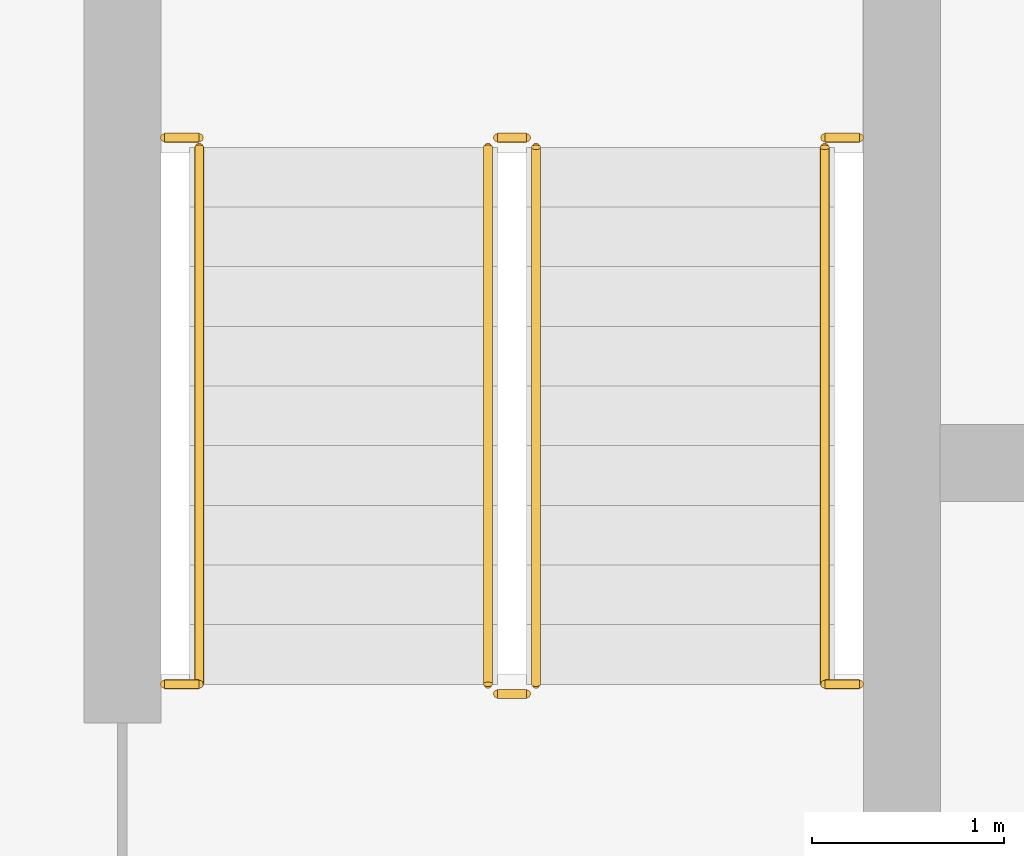
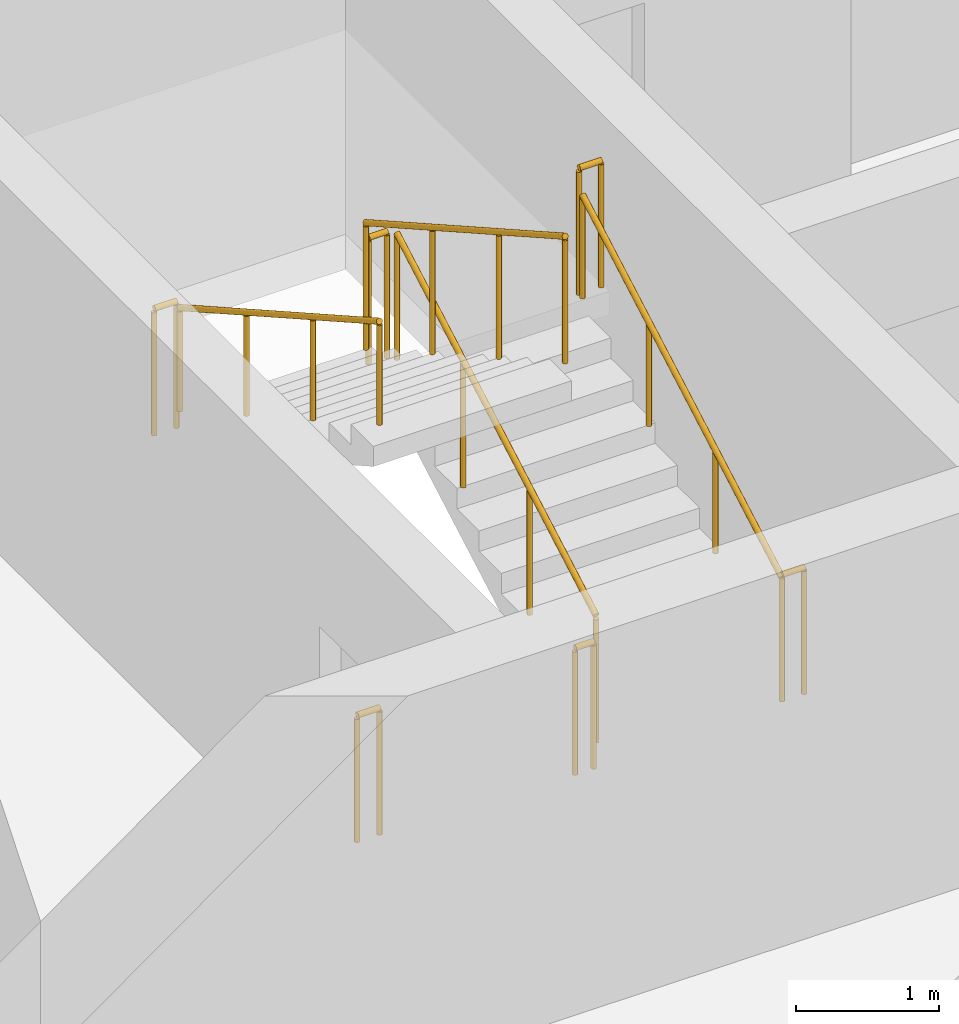
# One storey, part 17 of 21: 10 railings.
"""IFC4 building model written with IfcOpenShell, lengths in metres."""

import ifcopenshell
import ifcopenshell.guid

model = None  # the IFC model being written
_history = None  # IfcOwnerHistory: only IFC2X3 demands one
_inside = {}  # id of a spatial element -> (the spatial element, [elements in it])
_under = {}  # id of a project, library or spatial element -> (it, [spatial elements below it])
_declared = {}  # id of a project -> (the project, [libraries it declares])
_typed = {}  # id of a type object -> (the type object, [elements of that type])
_made_of = {}  # id of a material, layer set ... -> (it, [elements and type objects made of it])


def new_model(schema):
    """Start an empty IFC model of exactly this schema.

    Asked for "IFC4X3", IfcOpenShell would pick the latest addendum, in which some entities
    have other attributes; the version numbers below select the first issue.
    IFC2X3 requires an IfcOwnerHistory on every rooted entity: one is made here for all.
    """
    global model, _history
    if schema == "IFC4X3":
        model = ifcopenshell.file(schema_version=(4, 3, 0, 0))
    else:
        model = ifcopenshell.file(schema=schema)
    _inside.clear()
    _under.clear()
    _declared.clear()
    _typed.clear()
    _made_of.clear()
    _history = None
    if model.schema == "IFC2X3":
        org = make("IfcOrganization", Name="unknown")
        user = make(
            "IfcPersonAndOrganization",
            ThePerson=make("IfcPerson", FamilyName="unknown"),
            TheOrganization=org,
        )
        app = make(
            "IfcApplication",
            ApplicationDeveloper=org,
            Version="unknown",
            ApplicationFullName="unknown",
            ApplicationIdentifier="unknown",
        )
        _history = make(
            "IfcOwnerHistory",
            OwningUser=user,
            OwningApplication=app,
            ChangeAction="ADDED",
            CreationDate=0,
        )
    return model


def make(cls, **values):
    """One entity of the class cls with the attributes given. An attribute that is None is left unset."""
    return model.create_entity(
        cls, **{name: value for name, value in values.items() if value is not None}
    )


def rooted(cls, **values):
    """An entity with a GlobalId (a new one), such as an element, a storey or a relation."""
    return make(cls, GlobalId=ifcopenshell.guid.new(), OwnerHistory=_history, **values)


def si_unit(unit_type, name, prefix=None):
    """IfcSIUnit, for example si_unit("LENGTHUNIT", "METRE", prefix="MILLI")."""
    return make("IfcSIUnit", UnitType=unit_type, Prefix=prefix, Name=name)


def assignment(units):
    """IfcUnitAssignment: the units of a project."""
    return None if units is None else make("IfcUnitAssignment", Units=units)


def point(xyz):
    """IfcCartesianPoint."""
    return None if xyz is None else make("IfcCartesianPoint", Coordinates=xyz)


def direction(xyz):
    """IfcDirection."""
    return None if xyz is None else make("IfcDirection", DirectionRatios=xyz)


def frame(location, z_axis=None, x_axis=None):
    """IfcAxis2Placement3D, a coordinate frame: its origin and axes. An axis left out is left unset."""
    return make(
        "IfcAxis2Placement3D",
        Location=point(location),
        Axis=direction(z_axis),
        RefDirection=direction(x_axis),
    )


def frame_2d(location, x_axis=None):
    """IfcAxis2Placement2D, a coordinate frame in the plane: its origin and x axis."""
    return make(
        "IfcAxis2Placement2D", Location=point(location), RefDirection=direction(x_axis)
    )


def origin():
    """The frame at (0, 0, 0) with its axes left unset."""
    return frame((0.0, 0.0, 0.0))


def origin_2d():
    """The frame at (0, 0) in the plane with its x axis left unset."""
    return frame_2d((0.0, 0.0))


def place(relative_to, where):
    """IfcLocalPlacement: puts the frame where relative to a parent placement (None: the world)."""
    return make(
        "IfcLocalPlacement", PlacementRelTo=relative_to, RelativePlacement=where
    )


def context(
    kind, dimensions, precision=None, world=None, true_north=None, identifier=None
):
    """IfcGeometricRepresentationContext, for example the 3D "Model" context."""
    return make(
        "IfcGeometricRepresentationContext",
        ContextIdentifier=identifier,
        ContextType=kind,
        CoordinateSpaceDimension=dimensions,
        Precision=precision,
        WorldCoordinateSystem=world,
        TrueNorth=true_north,
    )


def subcontext(parent, identifier, kind, view, scale=None):
    """IfcGeometricRepresentationSubContext, for example "Body" below "Model"."""
    return make(
        "IfcGeometricRepresentationSubContext",
        ContextIdentifier=identifier,
        ContextType=kind,
        ParentContext=parent,
        TargetScale=scale,
        TargetView=view,
    )


def project(units=None, contexts=None):
    """IfcProject with its units and contexts."""
    return rooted(
        "IfcProject",
        Name="project",
        RepresentationContexts=contexts,
        UnitsInContext=assignment(units),
    )


def spatial(cls, under=None, at=None, **own):
    """A site, building, storey or space (cls), placed at a placement, below another one or the project."""
    s = rooted(cls, ObjectPlacement=at, **own)
    if under is not None:
        _under.setdefault(under.id(), (under, []))[1].append(s)
    return s


def profile(cls, at=None, kind="AREA", **sizes):
    """A parametric profile (cls). Its sizes go by their IFC names, for example OverallWidth=200.0."""
    return make(cls, ProfileType=kind, Position=at, **sizes)


def circle(**sizes):
    """IfcCircleProfileDef."""
    return profile("IfcCircleProfileDef", **sizes)


def extrude(swept, where, along, depth):
    """IfcExtrudedAreaSolid: the profile swept, set in the frame where, extruded along a direction by depth."""
    return make(
        "IfcExtrudedAreaSolid",
        SweptArea=swept,
        Position=where,
        ExtrudedDirection=direction(along),
        Depth=depth,
    )


def shape(context_of_items, identifier, shape_type, items):
    """IfcShapeRepresentation: the items that make up one representation, for example the "Body"."""
    return make(
        "IfcShapeRepresentation",
        ContextOfItems=context_of_items,
        RepresentationIdentifier=identifier,
        RepresentationType=shape_type,
        Items=items,
    )


def material(Name=None, Category=None):
    """IfcMaterial."""
    return make("IfcMaterial", Name=Name, Category=Category)


def made_of(thing, what):
    """Note that an element or type object is made of a material, layer set ...; save() writes the relation."""
    if what is not None:
        _made_of.setdefault(what.id(), (what, []))[1].append(thing)
    return thing


def type_object(cls, material=None, **own):
    """A type object (cls), such as IfcWallType, which elements share."""
    return made_of(rooted(cls, **own), material)


def element(
    cls,
    number,
    at=None,
    inside=None,
    cuts=None,
    type_object=None,
    material=None,
    context=None,
    identifier="Body",
    shape_type=None,
    held_by="IfcProductDefinitionShape",
    body=None,
    shapes=None,
    **own,
):
    """One element of the class cls, such as IfcWall. Its Tag is "e" and its number.

    at: its placement. inside: the storey or other place that contains it. cuts: it is an
    opening in that element (IfcRelVoidsElement). A single representation is given by context,
    identifier, shape_type and body (its items); several are given by shapes. held_by: the class
    of the entity that holds the representations. save() writes the other relations.
    """
    e = rooted(cls, Tag="e%d" % number, ObjectPlacement=at, **own)
    if body is not None:
        shapes = [shape(context, identifier, shape_type, body)]
    if shapes is not None:
        e.Representation = make(held_by, Representations=shapes)
    if inside is not None:
        _inside.setdefault(inside.id(), (inside, []))[1].append(e)
    if cuts is not None:
        rooted(
            "IfcRelVoidsElement", RelatingBuildingElement=cuts, RelatedOpeningElement=e
        )
    if type_object is not None:
        _typed.setdefault(type_object.id(), (type_object, []))[1].append(e)
    return made_of(e, material)


def aggregate(whole, parts):
    """IfcRelAggregates: a whole, such as a stair, and the parts it consists of."""
    return rooted("IfcRelAggregates", RelatingObject=whole, RelatedObjects=parts)


def save(model, path):
    """Write the relations noted so far, then the file.

    IfcRelAggregates (storeys below a building ...), IfcRelContainedInSpatialStructure (elements
    in a storey), IfcRelDefinesByType, IfcRelAssociatesMaterial and IfcRelDeclares: one each for
    every whole, place, type object, material and project.
    """
    for whole, parts in _under.values():
        aggregate(whole, parts)
    for where, things in _inside.values():
        rooted(
            "IfcRelContainedInSpatialStructure",
            RelatedElements=things,
            RelatingStructure=where,
        )
    for kind, things in _typed.values():
        rooted("IfcRelDefinesByType", RelatedObjects=things, RelatingType=kind)
    for what, things in _made_of.values():
        rooted("IfcRelAssociatesMaterial", RelatedObjects=things, RelatingMaterial=what)
    for by, libraries in _declared.values():
        rooted("IfcRelDeclares", RelatingContext=by, RelatedDefinitions=libraries)
    model.write(path)


model = new_model("IFC4")

# Units and contexts
model_context = context("Model", 3, precision=1e-05, world=origin(), true_north=direction((0.0, 1.0)))
body_context = subcontext(model_context, "Body", "Model", "MODEL_VIEW")
ifc_project = project(units=[si_unit("LENGTHUNIT", "METRE"), si_unit("AREAUNIT", "SQUARE_METRE"), si_unit("VOLUMEUNIT", "CUBIC_METRE"), si_unit("PLANEANGLEUNIT", "RADIAN"), si_unit("MASSUNIT", "GRAM", prefix="KILO")], contexts=[model_context])

# Site, building, storey
site_placement = place(None, origin())
site = spatial("IfcSite", under=ifc_project, at=site_placement, CompositionType="ELEMENT")
building_placement = place(site_placement, origin())
building = spatial("IfcBuilding", under=site, at=building_placement, Name="Madar Terraces", CompositionType="ELEMENT")
storey_placement = place(building_placement, frame((0.0, 0.0, 268.60009765625)))
storey = spatial("IfcBuildingStorey", under=building, at=storey_placement, Name="L70", CompositionType="ELEMENT", Elevation=268.60009765625)

# Railings
ifc_material_1 = material(Name="Stainless steel railing", Category="steel")
railing_type_1 = type_object("IfcRailingType", Name="Stair guard 1100", PredefinedType="GUARDRAIL", material=ifc_material_1)
railing_1_placement = place(storey_placement, frame((21.199951171875, 17.60009765625, 0.1748046875)))
element("IfcRailing", 1, at=railing_1_placement, inside=storey, type_object=railing_type_1, Name="L70 ST1 stair guard 1", PredefinedType="GUARDRAIL", context=body_context, shape_type="SweptSolid", body=[
    extrude(circle(Radius=0.02392578125, at=origin_2d()), frame((0.0, 0.0, 1.076171875), z_axis=(0.0, 0.870782738816, 0.491667999549), x_axis=(-1.0, 0.0, 0.0)), (0.0, 0.0, 1.0), 3.203857421875),
    extrude(circle(Radius=0.02099609375, at=origin_2d()), origin(), (0.0, 0.0, 1.0), 1.052001953125),
    extrude(circle(Radius=0.02099609375, at=origin_2d()), frame((0.0, 0.929931640625, 0.525146484375)), (0.0, 0.0, 1.0), 1.052001953125),
    extrude(circle(Radius=0.02099609375, at=origin_2d()), frame((0.0, 1.85986328125, 1.050048828125)), (0.0, 0.0, 1.0), 1.052001953125),
    extrude(circle(Radius=0.02099609375, at=origin_2d()), frame((0.0, 2.789794921875, 1.5751953125)), (0.0, 0.0, 1.0), 1.052001953125),
])
railing_2_placement = place(storey_placement, frame((21.14990234375, 20.43994140625, 1.75)))
element("IfcRailing", 2, at=railing_2_placement, inside=storey, type_object=railing_type_1, Name="L70 ST1 stair guard 2", PredefinedType="GUARDRAIL", context=body_context, shape_type="SweptSolid", body=[
    extrude(circle(Radius=0.02392578125, at=origin_2d()), frame((0.0, 0.0, 1.076171875), z_axis=(-1.0, 0.0, 0.0), x_axis=(0.0, -1.0, 0.0)), (0.0, 0.0, 1.0), 0.14990234375),
    extrude(circle(Radius=0.02099609375, at=origin_2d()), origin(), (0.0, 0.0, 1.0), 1.052001953125),
    extrude(circle(Radius=0.02099609375, at=origin_2d()), frame((-0.14990234375, 0.0, 0.0)), (0.0, 0.0, 1.0), 1.052001953125),
])
railing_3_placement = place(storey_placement, frame((20.949951171875, 20.389892578125, 1.9248046875)))
element("IfcRailing", 3, at=railing_3_placement, inside=storey, type_object=railing_type_1, Name="L70 ST1 stair guard 3", PredefinedType="GUARDRAIL", context=body_context, shape_type="SweptSolid", body=[
    extrude(circle(Radius=0.02392578125, at=origin_2d()), frame((0.0, 0.0, 1.076171875), z_axis=(0.0, -0.870782738816, 0.491667999549), x_axis=(1.0, 0.0, 0.0)), (0.0, 0.0, 1.0), 3.203857421875),
    extrude(circle(Radius=0.02099609375, at=origin_2d()), origin(), (0.0, 0.0, 1.0), 1.052001953125),
    extrude(circle(Radius=0.02099609375, at=origin_2d()), frame((0.0, -0.929931640625, 0.525146484375)), (0.0, 0.0, 1.0), 1.052001953125),
    extrude(circle(Radius=0.02099609375, at=origin_2d()), frame((0.0, -1.85986328125, 1.050048828125)), (0.0, 0.0, 1.0), 1.052001953125),
    extrude(circle(Radius=0.02099609375, at=origin_2d()), frame((0.0, -2.789794921875, 1.5751953125)), (0.0, 0.0, 1.0), 1.052001953125),
])
railing_4_placement = place(storey_placement, frame((21.14990234375, 17.550048828125, 0.0)))
element("IfcRailing", 4, at=railing_4_placement, inside=storey, type_object=railing_type_1, Name="L70 ST1 stair guard 4", PredefinedType="GUARDRAIL", context=body_context, shape_type="SweptSolid", body=[
    extrude(circle(Radius=0.02392578125, at=origin_2d()), frame((0.0, 0.0, 1.076171875), z_axis=(-1.0, 0.0, 0.0), x_axis=(0.0, -1.0, 0.0)), (0.0, 0.0, 1.0), 0.14990234375),
    extrude(circle(Radius=0.02099609375, at=origin_2d()), origin(), (0.0, 0.0, 1.0), 1.052001953125),
    extrude(circle(Radius=0.02099609375, at=origin_2d()), frame((-0.14990234375, 0.0, 0.0)), (0.0, 0.0, 1.0), 1.052001953125),
])
for number, where, name in (
    (5, (19.27001953125, 20.43994140625, 1.75), "L70 stair guard seat 1"),
    (6, (22.699951171875, 20.43994140625, 1.75), "L70 stair guard seat 2"),
    (7, (19.27001953125, 17.60009765625, 0.0), "L70 stair guard floor 1"),
    (8, (22.699951171875, 17.60009765625, 0.0), "L70 stair guard floor 2"),
):
    element("IfcRailing", number, at=place(storey_placement, frame(where)), inside=storey, type_object=railing_type_1, Name=name, PredefinedType="GUARDRAIL", context=body_context, shape_type="SweptSolid", body=[
        extrude(circle(Radius=0.02392578125, at=origin_2d()), frame((0.0, 0.0, 1.076171875), z_axis=(1.0, 0.0, 0.0), x_axis=(0.0, 1.0, 0.0)), (0.0, 0.0, 1.0), 0.179931640625),
        extrude(circle(Radius=0.02099609375, at=origin_2d()), origin(), (0.0, 0.0, 1.0), 1.052001953125),
        extrude(circle(Radius=0.02099609375, at=origin_2d()), frame((0.179931640625, 0.0, 0.0)), (0.0, 0.0, 1.0), 1.052001953125),
    ])
ifc_material_2 = material(Name="Stainless steel railing", Category="steel")
railing_type_2 = type_object("IfcRailingType", Name="Stair handrail 900", PredefinedType="HANDRAIL", material=ifc_material_2)
railing_5_placement = place(storey_placement, frame((22.699951171875, 17.60009765625, 0.1748046875)))
element("IfcRailing", 9, at=railing_5_placement, inside=storey, type_object=railing_type_2, Name="L70 ST1 stair handrail 1", PredefinedType="HANDRAIL", context=body_context, shape_type="SweptSolid", body=[
    extrude(circle(Radius=0.02392578125, at=origin_2d()), frame((0.0, 0.0, 0.8759765625), z_axis=(0.0, 0.870782738816, 0.491667999549), x_axis=(-1.0, 0.0, 0.0)), (0.0, 0.0, 1.0), 3.203857421875),
    extrude(circle(Radius=0.02099609375, at=origin_2d()), origin(), (0.0, 0.0, 1.0), 0.851806640625),
    extrude(circle(Radius=0.02099609375, at=origin_2d()), frame((0.0, 0.929931640625, 0.525146484375)), (0.0, 0.0, 1.0), 0.851806640625),
    extrude(circle(Radius=0.02099609375, at=origin_2d()), frame((0.0, 1.85986328125, 1.050048828125)), (0.0, 0.0, 1.0), 0.851806640625),
    extrude(circle(Radius=0.02099609375, at=origin_2d()), frame((0.0, 2.789794921875, 1.5751953125)), (0.0, 0.0, 1.0), 0.851806640625),
])
railing_6_placement = place(storey_placement, frame((19.449951171875, 20.389892578125, 1.9248046875)))
element("IfcRailing", 10, at=railing_6_placement, inside=storey, type_object=railing_type_2, Name="L70 ST1 stair handrail 2", PredefinedType="HANDRAIL", context=body_context, shape_type="SweptSolid", body=[
    extrude(circle(Radius=0.02392578125, at=origin_2d()), frame((0.0, 0.0, 0.8759765625), z_axis=(0.0, -0.870782738816, 0.491667999549), x_axis=(1.0, 0.0, 0.0)), (0.0, 0.0, 1.0), 3.203857421875),
    extrude(circle(Radius=0.02099609375, at=origin_2d()), origin(), (0.0, 0.0, 1.0), 0.851806640625),
    extrude(circle(Radius=0.02099609375, at=origin_2d()), frame((0.0, -0.929931640625, 0.525146484375)), (0.0, 0.0, 1.0), 0.851806640625),
    extrude(circle(Radius=0.02099609375, at=origin_2d()), frame((0.0, -1.85986328125, 1.050048828125)), (0.0, 0.0, 1.0), 0.851806640625),
    extrude(circle(Radius=0.02099609375, at=origin_2d()), frame((0.0, -2.789794921875, 1.5751953125)), (0.0, 0.0, 1.0), 0.851806640625),
])

save(model, "model.ifc")
